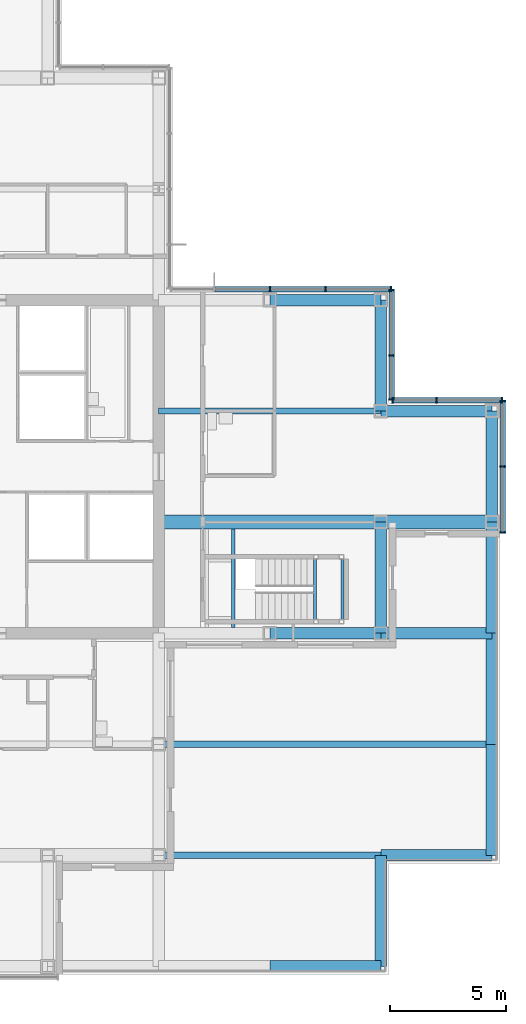
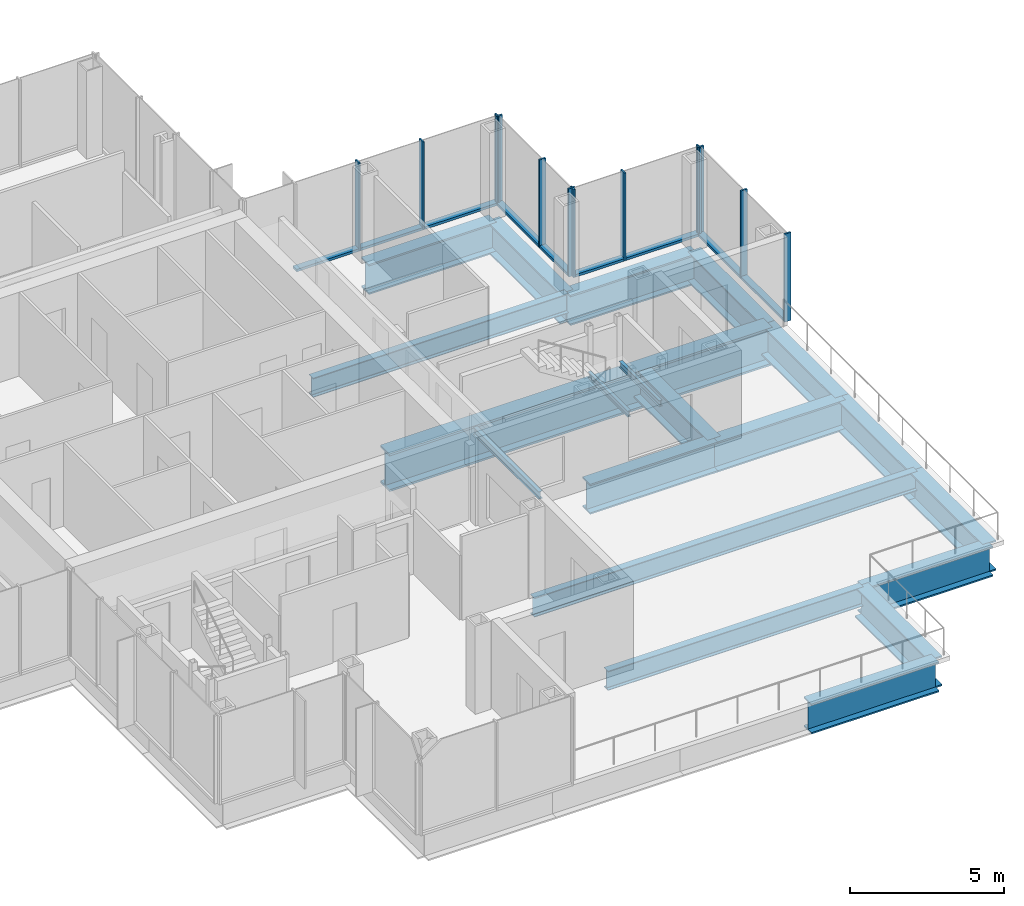
# One storey, part 8 of 17: 21 members, 20 beams, 4 elements without a shape of their own.
"""IFC4 building model written with IfcOpenShell, lengths in metres."""

import ifcopenshell
import ifcopenshell.guid

model = None  # the IFC model being written
_history = None  # IfcOwnerHistory: only IFC2X3 demands one
_inside = {}  # id of a spatial element -> (the spatial element, [elements in it])
_under = {}  # id of a project, library or spatial element -> (it, [spatial elements below it])
_declared = {}  # id of a project -> (the project, [libraries it declares])
_typed = {}  # id of a type object -> (the type object, [elements of that type])
_made_of = {}  # id of a material, layer set ... -> (it, [elements and type objects made of it])


def new_model(schema):
    """Start an empty IFC model of exactly this schema.

    Asked for "IFC4X3", IfcOpenShell would pick the latest addendum, in which some entities
    have other attributes; the version numbers below select the first issue.
    IFC2X3 requires an IfcOwnerHistory on every rooted entity: one is made here for all.
    """
    global model, _history
    if schema == "IFC4X3":
        model = ifcopenshell.file(schema_version=(4, 3, 0, 0))
    else:
        model = ifcopenshell.file(schema=schema)
    _inside.clear()
    _under.clear()
    _declared.clear()
    _typed.clear()
    _made_of.clear()
    _history = None
    if model.schema == "IFC2X3":
        org = make("IfcOrganization", Name="unknown")
        user = make(
            "IfcPersonAndOrganization",
            ThePerson=make("IfcPerson", FamilyName="unknown"),
            TheOrganization=org,
        )
        app = make(
            "IfcApplication",
            ApplicationDeveloper=org,
            Version="unknown",
            ApplicationFullName="unknown",
            ApplicationIdentifier="unknown",
        )
        _history = make(
            "IfcOwnerHistory",
            OwningUser=user,
            OwningApplication=app,
            ChangeAction="ADDED",
            CreationDate=0,
        )
    return model


def make(cls, **values):
    """One entity of the class cls with the attributes given. An attribute that is None is left unset."""
    return model.create_entity(
        cls, **{name: value for name, value in values.items() if value is not None}
    )


def rooted(cls, **values):
    """An entity with a GlobalId (a new one), such as an element, a storey or a relation."""
    return make(cls, GlobalId=ifcopenshell.guid.new(), OwnerHistory=_history, **values)


def si_unit(unit_type, name, prefix=None):
    """IfcSIUnit, for example si_unit("LENGTHUNIT", "METRE", prefix="MILLI")."""
    return make("IfcSIUnit", UnitType=unit_type, Prefix=prefix, Name=name)


def assignment(units):
    """IfcUnitAssignment: the units of a project."""
    return None if units is None else make("IfcUnitAssignment", Units=units)


def point(xyz):
    """IfcCartesianPoint."""
    return None if xyz is None else make("IfcCartesianPoint", Coordinates=xyz)


def direction(xyz):
    """IfcDirection."""
    return None if xyz is None else make("IfcDirection", DirectionRatios=xyz)


def frame(location, z_axis=None, x_axis=None):
    """IfcAxis2Placement3D, a coordinate frame: its origin and axes. An axis left out is left unset."""
    return make(
        "IfcAxis2Placement3D",
        Location=point(location),
        Axis=direction(z_axis),
        RefDirection=direction(x_axis),
    )


def frame_2d(location, x_axis=None):
    """IfcAxis2Placement2D, a coordinate frame in the plane: its origin and x axis."""
    return make(
        "IfcAxis2Placement2D", Location=point(location), RefDirection=direction(x_axis)
    )


def origin():
    """The frame at (0, 0, 0) with its axes left unset."""
    return frame((0.0, 0.0, 0.0))


def origin_2d():
    """The frame at (0, 0) in the plane with its x axis left unset."""
    return frame_2d((0.0, 0.0))


def place(relative_to, where):
    """IfcLocalPlacement: puts the frame where relative to a parent placement (None: the world)."""
    return make(
        "IfcLocalPlacement", PlacementRelTo=relative_to, RelativePlacement=where
    )


def context(
    kind, dimensions, precision=None, world=None, true_north=None, identifier=None
):
    """IfcGeometricRepresentationContext, for example the 3D "Model" context."""
    return make(
        "IfcGeometricRepresentationContext",
        ContextIdentifier=identifier,
        ContextType=kind,
        CoordinateSpaceDimension=dimensions,
        Precision=precision,
        WorldCoordinateSystem=world,
        TrueNorth=true_north,
    )


def subcontext(parent, identifier, kind, view, scale=None):
    """IfcGeometricRepresentationSubContext, for example "Body" below "Model"."""
    return make(
        "IfcGeometricRepresentationSubContext",
        ContextIdentifier=identifier,
        ContextType=kind,
        ParentContext=parent,
        TargetScale=scale,
        TargetView=view,
    )


def project(units=None, contexts=None):
    """IfcProject with its units and contexts."""
    return rooted(
        "IfcProject",
        Name="project",
        RepresentationContexts=contexts,
        UnitsInContext=assignment(units),
    )


def spatial(cls, under=None, at=None, **own):
    """A site, building, storey or space (cls), placed at a placement, below another one or the project."""
    s = rooted(cls, ObjectPlacement=at, **own)
    if under is not None:
        _under.setdefault(under.id(), (under, []))[1].append(s)
    return s


def profile(cls, at=None, kind="AREA", **sizes):
    """A parametric profile (cls). Its sizes go by their IFC names, for example OverallWidth=200.0."""
    return make(cls, ProfileType=kind, Position=at, **sizes)


def rectangle(**sizes):
    """IfcRectangleProfileDef."""
    return profile("IfcRectangleProfileDef", **sizes)


def i_section(**sizes):
    """IfcIShapeProfileDef."""
    return profile("IfcIShapeProfileDef", **sizes)


def extrude(swept, where, along, depth):
    """IfcExtrudedAreaSolid: the profile swept, set in the frame where, extruded along a direction by depth."""
    return make(
        "IfcExtrudedAreaSolid",
        SweptArea=swept,
        Position=where,
        ExtrudedDirection=direction(along),
        Depth=depth,
    )


def shape(context_of_items, identifier, shape_type, items):
    """IfcShapeRepresentation: the items that make up one representation, for example the "Body"."""
    return make(
        "IfcShapeRepresentation",
        ContextOfItems=context_of_items,
        RepresentationIdentifier=identifier,
        RepresentationType=shape_type,
        Items=items,
    )


def material(Name=None, Category=None):
    """IfcMaterial."""
    return make("IfcMaterial", Name=Name, Category=Category)


def material_profile(
    of_material, cross_section, Name=None, Category=None, Priority=None
):
    """IfcMaterialProfile: a cross section and its material."""
    return make(
        "IfcMaterialProfile",
        Name=Name,
        Material=of_material,
        Profile=cross_section,
        Priority=Priority,
        Category=Category,
    )


def profile_set(profiles, Name=None, composite=None):
    """IfcMaterialProfileSet."""
    return make(
        "IfcMaterialProfileSet",
        Name=Name,
        MaterialProfiles=profiles,
        CompositeProfile=composite,
    )


def made_of(thing, what):
    """Note that an element or type object is made of a material, layer set ...; save() writes the relation."""
    if what is not None:
        _made_of.setdefault(what.id(), (what, []))[1].append(thing)
    return thing


def type_object(cls, material=None, **own):
    """A type object (cls), such as IfcWallType, which elements share."""
    return made_of(rooted(cls, **own), material)


def element(
    cls,
    number,
    at=None,
    inside=None,
    cuts=None,
    type_object=None,
    material=None,
    context=None,
    identifier="Body",
    shape_type=None,
    held_by="IfcProductDefinitionShape",
    body=None,
    shapes=None,
    **own,
):
    """One element of the class cls, such as IfcWall. Its Tag is "e" and its number.

    at: its placement. inside: the storey or other place that contains it. cuts: it is an
    opening in that element (IfcRelVoidsElement). A single representation is given by context,
    identifier, shape_type and body (its items); several are given by shapes. held_by: the class
    of the entity that holds the representations. save() writes the other relations.
    """
    e = rooted(cls, Tag="e%d" % number, ObjectPlacement=at, **own)
    if body is not None:
        shapes = [shape(context, identifier, shape_type, body)]
    if shapes is not None:
        e.Representation = make(held_by, Representations=shapes)
    if inside is not None:
        _inside.setdefault(inside.id(), (inside, []))[1].append(e)
    if cuts is not None:
        rooted(
            "IfcRelVoidsElement", RelatingBuildingElement=cuts, RelatedOpeningElement=e
        )
    if type_object is not None:
        _typed.setdefault(type_object.id(), (type_object, []))[1].append(e)
    return made_of(e, material)


def aggregate(whole, parts):
    """IfcRelAggregates: a whole, such as a stair, and the parts it consists of."""
    return rooted("IfcRelAggregates", RelatingObject=whole, RelatedObjects=parts)


def save(model, path):
    """Write the relations noted so far, then the file.

    IfcRelAggregates (storeys below a building ...), IfcRelContainedInSpatialStructure (elements
    in a storey), IfcRelDefinesByType, IfcRelAssociatesMaterial and IfcRelDeclares: one each for
    every whole, place, type object, material and project.
    """
    for whole, parts in _under.values():
        aggregate(whole, parts)
    for where, things in _inside.values():
        rooted(
            "IfcRelContainedInSpatialStructure",
            RelatedElements=things,
            RelatingStructure=where,
        )
    for kind, things in _typed.values():
        rooted("IfcRelDefinesByType", RelatedObjects=things, RelatingType=kind)
    for what, things in _made_of.values():
        rooted("IfcRelAssociatesMaterial", RelatedObjects=things, RelatingMaterial=what)
    for by, libraries in _declared.values():
        rooted("IfcRelDeclares", RelatingContext=by, RelatedDefinitions=libraries)
    model.write(path)


model = new_model("IFC4")

# Units and contexts
model_context = context("Model", 3, precision=1e-05, world=origin(), true_north=direction((0.0, 1.0)))
body_context = subcontext(model_context, "Body", "Model", "MODEL_VIEW")
ifc_project = project(units=[si_unit("LENGTHUNIT", "METRE"), si_unit("AREAUNIT", "SQUARE_METRE"), si_unit("VOLUMEUNIT", "CUBIC_METRE"), si_unit("PLANEANGLEUNIT", "RADIAN"), si_unit("MASSUNIT", "GRAM", prefix="KILO")], contexts=[model_context])

# Site, building, storey
site_placement = place(None, origin())
site = spatial("IfcSite", under=ifc_project, at=site_placement, CompositionType="ELEMENT")
building_placement = place(site_placement, origin())
building = spatial("IfcBuilding", under=site, at=building_placement, Name="Kvirike Care Tower", CompositionType="ELEMENT")
storey_placement = place(building_placement, frame((0.0, 0.0, 141.0)))
storey = spatial("IfcBuildingStorey", under=building, at=storey_placement, Name="L38", CompositionType="ELEMENT", Elevation=141.0)

# Curtain wall, members
ifc_material_1 = material(Name="Anodised aluminium stick system", Category="aluminium")
curtain_wall_type = type_object("IfcCurtainWallType", Name="CW-C STICK CURTAIN WALL", PredefinedType="NOTDEFINED", material=ifc_material_1)
curtain_wall_1_placement = place(storey_placement, origin())
curtain_wall_1 = element("IfcCurtainWall", 1, at=curtain_wall_1_placement, inside=storey, type_object=curtain_wall_type, Name="Curtain wall L38 face 4", PredefinedType="NOTDEFINED")
ifc_material_2 = material(Name="Bronze anodised aluminium mullion", Category="aluminium")
ifc_material_profile_1 = material_profile(ifc_material_2, rectangle(XDim=0.06494140625, YDim=0.239990234375, at=origin_2d()), Name="CW-C MULLION 65x240")
ifc_profile_set_1 = profile_set([ifc_material_profile_1], Name="Bronze anodised aluminium mullion")
member_type_1 = type_object("IfcMemberType", Name="CW-C MULLION 65x240", PredefinedType="MULLION", material=ifc_profile_set_1)
member_1_placement = place(storey_placement, frame((43.669921875, 33.16259765625, 0.0), z_axis=(0.0, 0.0, 1.0), x_axis=(0.0, 1.0, 0.0)))
member_1 = element("IfcMember", 2, at=member_1_placement, type_object=member_type_1, Name="CW-C mullion L38 face 4.1", PredefinedType="MULLION", context=body_context, shape_type="SweptSolid", body=[
    extrude(rectangle(XDim=0.06494140625, YDim=0.239990234375, at=origin_2d()), origin(), (0.0, 0.0, 1.0), 3.5),
])
member_2_placement = place(storey_placement, frame((43.669921875, 36.0, 0.0), z_axis=(0.0, 0.0, 1.0), x_axis=(0.0, 1.0, 0.0)))
member_2 = element("IfcMember", 3, at=member_2_placement, type_object=member_type_1, Name="CW-C mullion L38 face 4.2", PredefinedType="MULLION", context=body_context, shape_type="SweptSolid", body=[
    extrude(rectangle(XDim=0.06494140625, YDim=0.239990234375, at=origin_2d()), origin(), (0.0, 0.0, 1.0), 3.5),
])
member_3_placement = place(storey_placement, frame((43.669921875, 38.83740234375, 0.0), z_axis=(0.0, 0.0, 1.0), x_axis=(0.0, 1.0, 0.0)))
member_3 = element("IfcMember", 4, at=member_3_placement, type_object=member_type_1, Name="CW-C mullion L38 face 4.3", PredefinedType="MULLION", context=body_context, shape_type="SweptSolid", body=[
    extrude(rectangle(XDim=0.06494140625, YDim=0.239990234375, at=origin_2d()), origin(), (0.0, 0.0, 1.0), 3.5),
])

curtain_wall_2_placement = place(storey_placement, origin())
curtain_wall_2 = element("IfcCurtainWall", 5, at=curtain_wall_2_placement, inside=storey, type_object=curtain_wall_type, Name="Curtain wall L38 face 5", PredefinedType="NOTDEFINED")
member_4_placement = place(storey_placement, frame((43.637451171875, 38.8701171875, 0.0), z_axis=(0.0, 0.0, 1.0), x_axis=(-1.0, 0.0, 0.0)))
member_4 = element("IfcMember", 6, at=member_4_placement, type_object=member_type_1, Name="CW-C mullion L38 face 5.1", PredefinedType="MULLION", context=body_context, shape_type="SweptSolid", body=[
    extrude(rectangle(XDim=0.06494140625, YDim=0.239990234375, at=origin_2d()), origin(), (0.0, 0.0, 1.0), 3.5),
])
member_5_placement = place(storey_placement, frame((40.800048828125, 38.8701171875, 0.0), z_axis=(0.0, 0.0, 1.0), x_axis=(-1.0, 0.0, 0.0)))
member_5 = element("IfcMember", 7, at=member_5_placement, type_object=member_type_1, Name="CW-C mullion L38 face 5.2", PredefinedType="MULLION", context=body_context, shape_type="SweptSolid", body=[
    extrude(rectangle(XDim=0.06494140625, YDim=0.239990234375, at=origin_2d()), origin(), (0.0, 0.0, 1.0), 3.5),
])
member_6_placement = place(storey_placement, frame((38.902587890625, 38.8701171875, 0.0), z_axis=(0.0, 0.0, 1.0), x_axis=(-1.0, 0.0, 0.0)))
member_6 = element("IfcMember", 8, at=member_6_placement, type_object=member_type_1, Name="CW-C mullion L38 face 5.3", PredefinedType="MULLION", context=body_context, shape_type="SweptSolid", body=[
    extrude(rectangle(XDim=0.06494140625, YDim=0.239990234375, at=origin_2d()), origin(), (0.0, 0.0, 1.0), 3.5),
])

curtain_wall_3_placement = place(storey_placement, origin())
curtain_wall_3 = element("IfcCurtainWall", 9, at=curtain_wall_3_placement, inside=storey, type_object=curtain_wall_type, Name="Curtain wall L38 face 6", PredefinedType="NOTDEFINED")
member_7_placement = place(storey_placement, frame((38.8701171875, 38.902587890625, 0.0), z_axis=(0.0, 0.0, 1.0), x_axis=(0.0, 1.0, 0.0)))
member_7 = element("IfcMember", 10, at=member_7_placement, type_object=member_type_1, Name="CW-C mullion L38 face 6.1", PredefinedType="MULLION", context=body_context, shape_type="SweptSolid", body=[
    extrude(rectangle(XDim=0.06494140625, YDim=0.239990234375, at=origin_2d()), origin(), (0.0, 0.0, 1.0), 3.5),
])
member_8_placement = place(storey_placement, frame((38.8701171875, 40.800048828125, 0.0), z_axis=(0.0, 0.0, 1.0), x_axis=(0.0, 1.0, 0.0)))
member_8 = element("IfcMember", 11, at=member_8_placement, type_object=member_type_1, Name="CW-C mullion L38 face 6.2", PredefinedType="MULLION", context=body_context, shape_type="SweptSolid", body=[
    extrude(rectangle(XDim=0.06494140625, YDim=0.239990234375, at=origin_2d()), origin(), (0.0, 0.0, 1.0), 3.5),
])
member_9_placement = place(storey_placement, frame((38.8701171875, 43.637451171875, 0.0), z_axis=(0.0, 0.0, 1.0), x_axis=(0.0, 1.0, 0.0)))
member_9 = element("IfcMember", 12, at=member_9_placement, type_object=member_type_1, Name="CW-C mullion L38 face 6.3", PredefinedType="MULLION", context=body_context, shape_type="SweptSolid", body=[
    extrude(rectangle(XDim=0.06494140625, YDim=0.239990234375, at=origin_2d()), origin(), (0.0, 0.0, 1.0), 3.5),
])

curtain_wall_4_placement = place(storey_placement, origin())
curtain_wall_4 = element("IfcCurtainWall", 13, at=curtain_wall_4_placement, inside=storey, type_object=curtain_wall_type, Name="Curtain wall L38 face 7", PredefinedType="NOTDEFINED")
member_10_placement = place(storey_placement, frame((38.83740234375, 43.669921875, 0.0), z_axis=(0.0, 0.0, 1.0), x_axis=(-1.0, 0.0, 0.0)))
member_10 = element("IfcMember", 14, at=member_10_placement, type_object=member_type_1, Name="CW-C mullion L38 face 7.1", PredefinedType="MULLION", context=body_context, shape_type="SweptSolid", body=[
    extrude(rectangle(XDim=0.06494140625, YDim=0.239990234375, at=origin_2d()), origin(), (0.0, 0.0, 1.0), 3.5),
])
member_11_placement = place(storey_placement, frame((36.0, 43.669921875, 0.0), z_axis=(0.0, 0.0, 1.0), x_axis=(-1.0, 0.0, 0.0)))
member_11 = element("IfcMember", 15, at=member_11_placement, type_object=member_type_1, Name="CW-C mullion L38 face 7.2", PredefinedType="MULLION", context=body_context, shape_type="SweptSolid", body=[
    extrude(rectangle(XDim=0.06494140625, YDim=0.239990234375, at=origin_2d()), origin(), (0.0, 0.0, 1.0), 3.5),
])
member_12_placement = place(storey_placement, frame((33.60009765625, 43.669921875, 0.0), z_axis=(0.0, 0.0, 1.0), x_axis=(-1.0, 0.0, 0.0)))
member_12 = element("IfcMember", 16, at=member_12_placement, type_object=member_type_1, Name="CW-C mullion L38 face 7.3", PredefinedType="MULLION", context=body_context, shape_type="SweptSolid", body=[
    extrude(rectangle(XDim=0.06494140625, YDim=0.239990234375, at=origin_2d()), origin(), (0.0, 0.0, 1.0), 3.5),
])

# Member
ifc_material_3 = material(Name="Bronze anodised aluminium transom", Category="aluminium")
ifc_material_profile_2 = material_profile(ifc_material_3, rectangle(XDim=0.239990234375, YDim=0.10009765625, at=origin_2d()), Name="CW-C TRANSOM 240x100")
ifc_profile_set_2 = profile_set([ifc_material_profile_2], Name="Bronze anodised aluminium transom")
member_type_2 = type_object("IfcMemberType", Name="CW-C TRANSOM 240x100", PredefinedType="USERDEFINED", material=ifc_profile_set_2)
member_13_placement = place(storey_placement, frame((43.669921875, 33.195068359375, 0.050048828125), z_axis=(0.0, 1.0, 0.0), x_axis=(-1.0, 0.0, 0.0)))
member_13 = element("IfcMember", 17, at=member_13_placement, type_object=member_type_2, Name="CW-C sill transom L38 face 4.1", ObjectType="TRANSOM", PredefinedType="USERDEFINED", context=body_context, shape_type="SweptSolid", body=[
    extrude(rectangle(XDim=0.239990234375, YDim=0.10009765625, at=origin_2d()), origin(), (0.0, 0.0, 1.0), 2.7724609375),
])

member_14_placement = place(storey_placement, frame((43.669921875, 36.032470703125, 0.050048828125), z_axis=(0.0, 1.0, 0.0), x_axis=(-1.0, 0.0, 0.0)))
member_14 = element("IfcMember", 18, at=member_14_placement, type_object=member_type_2, Name="CW-C sill transom L38 face 4.2", ObjectType="TRANSOM", PredefinedType="USERDEFINED", context=body_context, shape_type="SweptSolid", body=[
    extrude(rectangle(XDim=0.239990234375, YDim=0.10009765625, at=origin_2d()), origin(), (0.0, 0.0, 1.0), 2.7724609375),
])

aggregate(curtain_wall_1, [member_1, member_2, member_3, member_13, member_14])

member_15_placement = place(storey_placement, frame((43.60498046875, 38.8701171875, 0.050048828125), z_axis=(-1.0, 0.0, 0.0), x_axis=(0.0, -1.0, 0.0)))
member_15 = element("IfcMember", 19, at=member_15_placement, type_object=member_type_2, Name="CW-C sill transom L38 face 5.1", ObjectType="TRANSOM", PredefinedType="USERDEFINED", context=body_context, shape_type="SweptSolid", body=[
    extrude(rectangle(XDim=0.239990234375, YDim=0.10009765625, at=origin_2d()), origin(), (0.0, 0.0, 1.0), 2.7724609375),
])

member_16_placement = place(storey_placement, frame((40.767578125, 38.8701171875, 0.050048828125), z_axis=(-1.0, 0.0, 0.0), x_axis=(0.0, -1.0, 0.0)))
member_16 = element("IfcMember", 20, at=member_16_placement, type_object=member_type_2, Name="CW-C sill transom L38 face 5.2", ObjectType="TRANSOM", PredefinedType="USERDEFINED", context=body_context, shape_type="SweptSolid", body=[
    extrude(rectangle(XDim=0.239990234375, YDim=0.10009765625, at=origin_2d()), origin(), (0.0, 0.0, 1.0), 1.83251953125),
])

aggregate(curtain_wall_2, [member_4, member_5, member_6, member_15, member_16])

member_17_placement = place(storey_placement, frame((38.8701171875, 38.93505859375, 0.050048828125), z_axis=(0.0, 1.0, 0.0), x_axis=(-1.0, 0.0, 0.0)))
member_17 = element("IfcMember", 21, at=member_17_placement, type_object=member_type_2, Name="CW-C sill transom L38 face 6.1", ObjectType="TRANSOM", PredefinedType="USERDEFINED", context=body_context, shape_type="SweptSolid", body=[
    extrude(rectangle(XDim=0.239990234375, YDim=0.10009765625, at=origin_2d()), origin(), (0.0, 0.0, 1.0), 1.83251953125),
])

member_18_placement = place(storey_placement, frame((38.8701171875, 40.83251953125, 0.050048828125), z_axis=(0.0, 1.0, 0.0), x_axis=(-1.0, 0.0, 0.0)))
member_18 = element("IfcMember", 22, at=member_18_placement, type_object=member_type_2, Name="CW-C sill transom L38 face 6.2", ObjectType="TRANSOM", PredefinedType="USERDEFINED", context=body_context, shape_type="SweptSolid", body=[
    extrude(rectangle(XDim=0.239990234375, YDim=0.10009765625, at=origin_2d()), origin(), (0.0, 0.0, 1.0), 2.7724609375),
])

aggregate(curtain_wall_3, [member_7, member_8, member_9, member_17, member_18])

member_19_placement = place(storey_placement, frame((38.804931640625, 43.669921875, 0.050048828125), z_axis=(-1.0, 0.0, 0.0), x_axis=(0.0, -1.0, 0.0)))
member_19 = element("IfcMember", 23, at=member_19_placement, type_object=member_type_2, Name="CW-C sill transom L38 face 7.1", ObjectType="TRANSOM", PredefinedType="USERDEFINED", context=body_context, shape_type="SweptSolid", body=[
    extrude(rectangle(XDim=0.239990234375, YDim=0.10009765625, at=origin_2d()), origin(), (0.0, 0.0, 1.0), 2.7724609375),
])

member_20_placement = place(storey_placement, frame((35.967529296875, 43.669921875, 0.050048828125), z_axis=(-1.0, 0.0, 0.0), x_axis=(0.0, -1.0, 0.0)))
member_20 = element("IfcMember", 24, at=member_20_placement, type_object=member_type_2, Name="CW-C sill transom L38 face 7.2", ObjectType="TRANSOM", PredefinedType="USERDEFINED", context=body_context, shape_type="SweptSolid", body=[
    extrude(rectangle(XDim=0.239990234375, YDim=0.10009765625, at=origin_2d()), origin(), (0.0, 0.0, 1.0), 2.3349609375),
])

member_21_placement = place(storey_placement, frame((33.5673828125, 43.669921875, 0.050048828125), z_axis=(-1.0, 0.0, 0.0), x_axis=(0.0, -1.0, 0.0)))
member_21 = element("IfcMember", 25, at=member_21_placement, type_object=member_type_2, Name="CW-C sill transom L38 face 7.3", ObjectType="TRANSOM", PredefinedType="USERDEFINED", context=body_context, shape_type="SweptSolid", body=[
    extrude(rectangle(XDim=0.239990234375, YDim=0.10009765625, at=origin_2d()), origin(), (0.0, 0.0, 1.0), 2.3349609375),
])

aggregate(curtain_wall_4, [member_10, member_11, member_12, member_19, member_20, member_21])

# Beams
ifc_material_4 = material(Name="Steel S355", Category="steel")
ifc_material_profile_3 = material_profile(ifc_material_4, i_section(OverallWidth=0.26806640625, OverallDepth=0.77001953125, WebThickness=0.015625, FlangeThickness=0.025390625, FilletRadius=0.01708984375, at=origin_2d()), Name="IPE 750x196")
ifc_profile_set_3 = profile_set([ifc_material_profile_3], Name="Steel S355")
beam_type_1 = type_object("IfcBeamType", Name="FLOOR BEAM IPE 750x196", PredefinedType="BEAM", material=ifc_profile_set_3)
beam_1_placement = place(storey_placement, frame((28.800048828125, 19.199951171875, -0.554931640625), z_axis=(1.0, 0.0, 0.0), x_axis=(0.0, 1.0, 0.0)))
element("IfcBeam", 26, at=beam_1_placement, inside=storey, type_object=beam_type_1, Name="Floor Beam E9-E11 L38", PredefinedType="BEAM", context=body_context, shape_type="SweptSolid", body=[
    extrude(i_section(OverallWidth=0.26806640625, OverallDepth=0.77001953125, WebThickness=0.015625, FlangeThickness=0.025390625, FilletRadius=0.01708984375, at=origin_2d()), origin(), (0.0, 0.0, 1.0), 9.599853515625),
])
beam_2_placement = place(storey_placement, frame((28.800048828125, 24.0, -0.554931640625), z_axis=(1.0, 0.0, 0.0), x_axis=(0.0, 1.0, 0.0)))
element("IfcBeam", 27, at=beam_2_placement, inside=storey, type_object=beam_type_1, Name="Floor Beam F9-F12 L38", PredefinedType="BEAM", context=body_context, shape_type="SweptSolid", body=[
    extrude(i_section(OverallWidth=0.26806640625, OverallDepth=0.77001953125, WebThickness=0.015625, FlangeThickness=0.025390625, FilletRadius=0.01708984375, at=origin_2d()), origin(), (0.0, 0.0, 1.0), 14.39990234375),
])
beam_3_placement = place(storey_placement, frame((28.800048828125, 38.39990234375, -0.554931640625), z_axis=(1.0, 0.0, 0.0), x_axis=(0.0, 1.0, 0.0)))
element("IfcBeam", 28, at=beam_3_placement, inside=storey, type_object=beam_type_1, Name="Floor Beam J9-J11 L38", PredefinedType="BEAM", context=body_context, shape_type="SweptSolid", body=[
    extrude(i_section(OverallWidth=0.26806640625, OverallDepth=0.77001953125, WebThickness=0.015625, FlangeThickness=0.025390625, FilletRadius=0.01708984375, at=origin_2d()), origin(), (0.0, 0.0, 1.0), 9.599853515625),
])
ifc_material_5 = material(Name="Steel S355", Category="steel")
ifc_material_profile_4 = material_profile(ifc_material_5, i_section(OverallWidth=0.5, OverallDepth=1.199951171875, WebThickness=0.030029296875, FlangeThickness=0.06005859375, at=origin_2d()), Name="PG 1200x500x30x60")
ifc_profile_set_4 = profile_set([ifc_material_profile_4], Name="Steel S355")
beam_type_2 = type_object("IfcBeamType", Name="FRAME BEAM PG 1200x500x30x60", PredefinedType="BEAM", material=ifc_profile_set_4)
beam_4_placement = place(storey_placement, frame((38.39990234375, 28.800048828125, -0.77001953125), z_axis=(1.0, 0.0, 0.0), x_axis=(0.0, 1.0, 0.0)))
element("IfcBeam", 29, at=beam_4_placement, inside=storey, type_object=beam_type_2, Name="Frame Beam G11-G12 L38", PredefinedType="BEAM", context=body_context, shape_type="SweptSolid", body=[
    extrude(i_section(OverallWidth=0.5, OverallDepth=1.199951171875, WebThickness=0.030029296875, FlangeThickness=0.06005859375, at=origin_2d()), origin(), (0.0, 0.0, 1.0), 4.800048828125),
])
ifc_material_6 = material(Name="Steel S355", Category="steel")
ifc_material_profile_5 = material_profile(ifc_material_6, i_section(OverallWidth=0.5, OverallDepth=1.199951171875, WebThickness=0.030029296875, FlangeThickness=0.06005859375, at=origin_2d()), Name="PG 1200x500x30x60")
ifc_profile_set_5 = profile_set([ifc_material_profile_5], Name="Steel S355")
beam_type_3 = type_object("IfcBeamType", Name="SPANDREL PG 1200x500x30x60", PredefinedType="SPANDREL", material=ifc_profile_set_5)
beam_5_placement = place(storey_placement, frame((33.60009765625, 14.39990234375, -0.77001953125), z_axis=(1.0, 0.0, 0.0), x_axis=(0.0, 1.0, 0.0)))
element("IfcBeam", 30, at=beam_5_placement, inside=storey, type_object=beam_type_3, Name="Spandrel D10-D11 L38", PredefinedType="SPANDREL", context=body_context, shape_type="SweptSolid", body=[
    extrude(i_section(OverallWidth=0.5, OverallDepth=1.199951171875, WebThickness=0.030029296875, FlangeThickness=0.06005859375, at=origin_2d()), origin(), (0.0, 0.0, 1.0), 4.7998046875),
])
beam_6_placement = place(storey_placement, frame((38.39990234375, 19.199951171875, -0.77001953125), z_axis=(1.0, 0.0, 0.0), x_axis=(0.0, 1.0, 0.0)))
element("IfcBeam", 31, at=beam_6_placement, inside=storey, type_object=beam_type_3, Name="Spandrel E11-E12 L38", PredefinedType="SPANDREL", context=body_context, shape_type="SweptSolid", body=[
    extrude(i_section(OverallWidth=0.5, OverallDepth=1.199951171875, WebThickness=0.030029296875, FlangeThickness=0.06005859375, at=origin_2d()), origin(), (0.0, 0.0, 1.0), 4.800048828125),
])
beam_7_placement = place(storey_placement, frame((33.60009765625, 28.800048828125, -0.77001953125), z_axis=(1.0, 0.0, 0.0), x_axis=(0.0, 1.0, 0.0)))
element("IfcBeam", 32, at=beam_7_placement, inside=storey, type_object=beam_type_3, Name="Spandrel G10-G11 L38", PredefinedType="SPANDREL", context=body_context, shape_type="SweptSolid", body=[
    extrude(i_section(OverallWidth=0.5, OverallDepth=1.199951171875, WebThickness=0.030029296875, FlangeThickness=0.06005859375, at=origin_2d()), origin(), (0.0, 0.0, 1.0), 4.7998046875),
])
beam_8_placement = place(storey_placement, frame((38.39990234375, 38.39990234375, -0.77001953125), z_axis=(1.0, 0.0, 0.0), x_axis=(0.0, 1.0, 0.0)))
element("IfcBeam", 33, at=beam_8_placement, inside=storey, type_object=beam_type_3, Name="Spandrel J11-J12 L38", PredefinedType="SPANDREL", context=body_context, shape_type="SweptSolid", body=[
    extrude(i_section(OverallWidth=0.5, OverallDepth=1.199951171875, WebThickness=0.030029296875, FlangeThickness=0.06005859375, at=origin_2d()), origin(), (0.0, 0.0, 1.0), 4.800048828125),
])
beam_9_placement = place(storey_placement, frame((33.60009765625, 43.199951171875, -0.77001953125), z_axis=(1.0, 0.0, 0.0), x_axis=(0.0, 1.0, 0.0)))
element("IfcBeam", 34, at=beam_9_placement, inside=storey, type_object=beam_type_3, Name="Spandrel K10-K11 L38", PredefinedType="SPANDREL", context=body_context, shape_type="SweptSolid", body=[
    extrude(i_section(OverallWidth=0.5, OverallDepth=1.199951171875, WebThickness=0.030029296875, FlangeThickness=0.06005859375, at=origin_2d()), origin(), (0.0, 0.0, 1.0), 4.7998046875),
])
for number, where, z_axis, x_axis, name in (
    (35, (38.39990234375, 14.39990234375, -0.77001953125), (0.0, 1.0, 0.0), (-1.0, 0.0, 0.0), "Spandrel D11-E11 L38"),
    (36, (38.39990234375, 28.800048828125, -0.77001953125), (0.0, 1.0, 0.0), (-1.0, 0.0, 0.0), "Spandrel G11-H11 L38"),
    (37, (38.39990234375, 38.39990234375, -0.77001953125), (0.0, 1.0, 0.0), (-1.0, 0.0, 0.0), "Spandrel J11-K11 L38"),
    (38, (43.199951171875, 19.199951171875, -0.77001953125), (0.0, 1.0, 0.0), (-1.0, 0.0, 0.0), "Spandrel E12-F12 L38"),
    (39, (43.199951171875, 24.0, -0.77001953125), (0.0, 1.0, 0.0), (-1.0, 0.0, 0.0), "Spandrel F12-G12 L38"),
    (40, (43.199951171875, 28.800048828125, -0.77001953125), (0.0, 1.0, 0.0), (-1.0, 0.0, 0.0), "Spandrel G12-H12 L38"),
):
    element("IfcBeam", number, at=place(storey_placement, frame(where, z_axis=z_axis, x_axis=x_axis)), inside=storey, type_object=beam_type_3, Name=name, PredefinedType="SPANDREL", context=body_context, shape_type="SweptSolid", body=[
        extrude(i_section(OverallWidth=0.5, OverallDepth=1.199951171875, WebThickness=0.030029296875, FlangeThickness=0.06005859375, at=origin_2d()), origin(), (0.0, 0.0, 1.0), 4.800048828125),
    ])
beam_10_placement = place(storey_placement, frame((43.199951171875, 33.60009765625, -0.77001953125), z_axis=(0.0, 1.0, 0.0), x_axis=(-1.0, 0.0, 0.0)))
element("IfcBeam", 41, at=beam_10_placement, inside=storey, type_object=beam_type_3, Name="Spandrel H12-J12 L38", PredefinedType="SPANDREL", context=body_context, shape_type="SweptSolid", body=[
    extrude(i_section(OverallWidth=0.5, OverallDepth=1.199951171875, WebThickness=0.030029296875, FlangeThickness=0.06005859375, at=origin_2d()), origin(), (0.0, 0.0, 1.0), 4.7998046875),
])
ifc_material_7 = material(Name="Steel S355", Category="steel")
ifc_material_profile_6 = material_profile(ifc_material_7, i_section(OverallWidth=0.1201171875, OverallDepth=0.239990234375, WebThickness=0.006103515625, FlangeThickness=0.009765625, FilletRadius=0.014892578125, at=origin_2d()), Name="IPE 240")
ifc_profile_set_6 = profile_set([ifc_material_profile_6], Name="Steel S355")
beam_type_4 = type_object("IfcBeamType", Name="STAIR LANDING BEAM IPE 240", PredefinedType="BEAM", material=ifc_profile_set_6)
for number, where, z_axis, x_axis, name in (
    (42, (36.739990234375, 29.39990234375, 1.429931640625), (0.0, 1.0, 0.0), (-1.0, 0.0, 0.0), "Stair 2 landing beam back L38"),
    (43, (35.56005859375, 29.39990234375, 1.429931640625), (0.0, 1.0, 0.0), (-1.0, 0.0, 0.0), "Stair 2 landing beam front L38"),
):
    element("IfcBeam", number, at=place(storey_placement, frame(where, z_axis=z_axis, x_axis=x_axis)), inside=storey, type_object=beam_type_4, Name=name, PredefinedType="BEAM", context=body_context, shape_type="SweptSolid", body=[
        extrude(i_section(OverallWidth=0.1201171875, OverallDepth=0.239990234375, WebThickness=0.006103515625, FlangeThickness=0.009765625, FilletRadius=0.014892578125, at=origin_2d()), origin(), (0.0, 0.0, 1.0), 2.60009765625),
    ])
ifc_material_8 = material(Name="Steel S355", Category="steel")
ifc_material_profile_7 = material_profile(ifc_material_8, i_section(OverallWidth=0.14990234375, OverallDepth=0.300048828125, WebThickness=0.007080078125, FlangeThickness=0.0107421875, FilletRadius=0.014892578125, at=origin_2d()), Name="IPE 300")
ifc_profile_set_7 = profile_set([ifc_material_profile_7], Name="Steel S355")
beam_type_5 = type_object("IfcBeamType", Name="STAIR TRIMMER IPE 300", PredefinedType="BEAM", material=ifc_profile_set_7)
beam_11_placement = place(storey_placement, frame((32.02490234375, 29.050048828125, -0.35009765625), z_axis=(0.0, 1.0, 0.0), x_axis=(-1.0, 0.0, 0.0)))
element("IfcBeam", 44, at=beam_11_placement, inside=storey, type_object=beam_type_5, Name="Stair 2 trimmer 1 L38", PredefinedType="BEAM", context=body_context, shape_type="SweptSolid", body=[
    extrude(i_section(OverallWidth=0.14990234375, OverallDepth=0.300048828125, WebThickness=0.007080078125, FlangeThickness=0.0107421875, FilletRadius=0.014892578125, at=origin_2d()), origin(), (0.0, 0.0, 1.0), 4.25),
])
ifc_material_9 = material(Name="Steel S355", Category="steel")
ifc_material_profile_8 = material_profile(ifc_material_9, i_section(OverallWidth=0.60009765625, OverallDepth=1.5, WebThickness=0.0400390625, FlangeThickness=0.080078125, at=origin_2d()), Name="PG 1500x600x40x80")
ifc_profile_set_8 = profile_set([ifc_material_profile_8], Name="Steel S355")
beam_type_6 = type_object("IfcBeamType", Name="TRANSFER GIRDER PG 1500x600x40x80", PredefinedType="BEAM", material=ifc_profile_set_8)
beam_12_placement = place(storey_placement, frame((28.800048828125, 33.60009765625, -0.919921875), z_axis=(1.0, 0.0, 0.0), x_axis=(0.0, 1.0, 0.0)))
element("IfcBeam", 45, at=beam_12_placement, inside=storey, type_object=beam_type_6, Name="Transfer Girder H9-H12 L38", PredefinedType="BEAM", context=body_context, shape_type="SweptSolid", body=[
    extrude(i_section(OverallWidth=0.60009765625, OverallDepth=1.5, WebThickness=0.0400390625, FlangeThickness=0.080078125, at=origin_2d()), origin(), (0.0, 0.0, 1.0), 14.39990234375),
])

save(model, "model.ifc")
